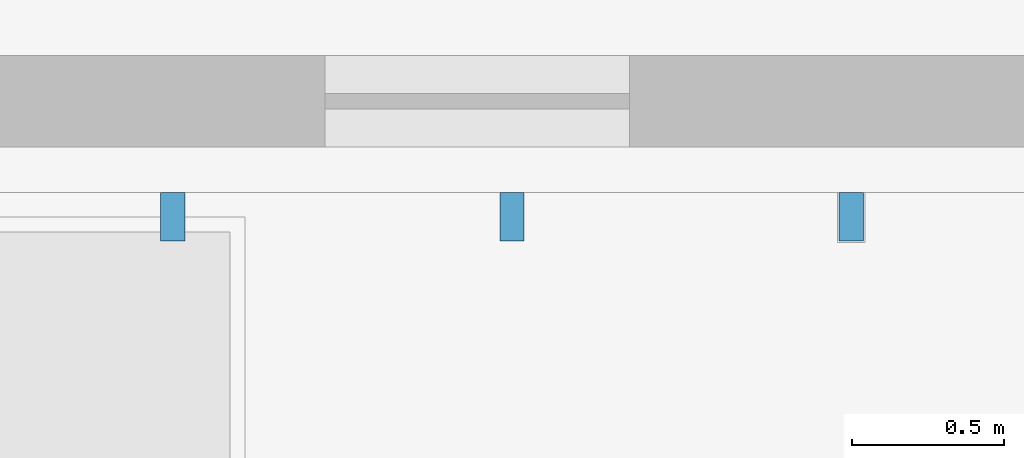
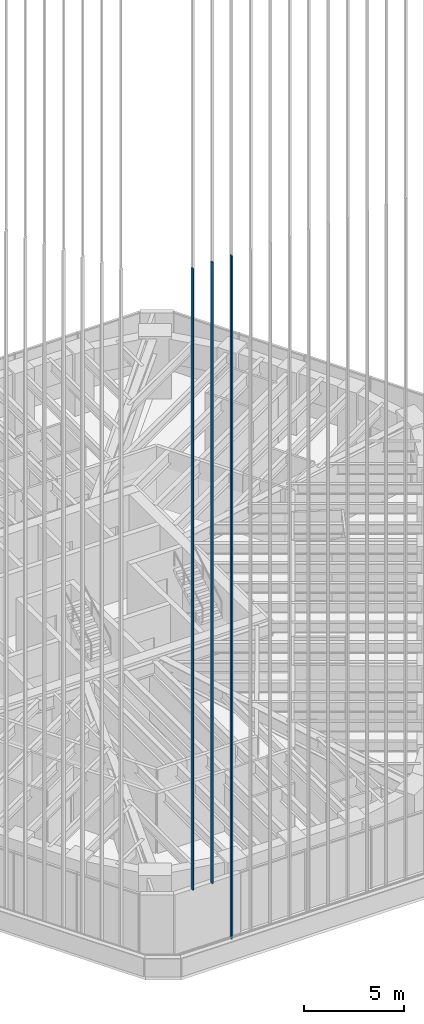
# One storey, part 8 of 127: 3 members, 1 element without a shape of its own.
"""IFC4 building model written with IfcOpenShell, lengths in metres."""

from ifc_helpers import new_model, si_unit, direction, frame, origin, origin_2d, place, context, subcontext, project, spatial, rectangle, extrude, material, material_profile, profile_set, type_object, element, aggregate, save


model = new_model("IFC4")

# Units and contexts
model_context = context("Model", 3, precision=1e-05, world=origin(), true_north=direction((0.0, 1.0)))
body_context = subcontext(model_context, "Body", "Model", "MODEL_VIEW")
ifc_project = project(units=[si_unit("LENGTHUNIT", "METRE"), si_unit("AREAUNIT", "SQUARE_METRE"), si_unit("VOLUMEUNIT", "CUBIC_METRE"), si_unit("PLANEANGLEUNIT", "RADIAN"), si_unit("MASSUNIT", "GRAM", prefix="KILO")], contexts=[model_context])

# Site, building, storey
site_placement = place(None, origin())
site = spatial("IfcSite", under=ifc_project, at=site_placement, CompositionType="ELEMENT")
building_placement = place(site_placement, origin())
building = spatial("IfcBuilding", under=site, at=building_placement, Name="Sandreach Pilgrim Tower", CompositionType="ELEMENT")
storey_placement = place(building_placement, frame((0.0, 0.0, 257.0)))
storey = spatial("IfcBuildingStorey", under=building, at=storey_placement, Name="L64", CompositionType="ELEMENT", Elevation=257.0)

# Curtain wall, members
ifc_material_1 = material(Name="Aluminium framed curtain wall", Category="aluminium")
curtain_wall_type = type_object("IfcCurtainWallType", Name="Suite tower curtain wall", PredefinedType="NOTDEFINED", material=ifc_material_1)
curtain_wall_placement = place(storey_placement, origin())
curtain_wall = element("IfcCurtainWall", 1, at=curtain_wall_placement, inside=storey, type_object=curtain_wall_type, Name="CW-4 L64 SA", PredefinedType="NOTDEFINED")
ifc_material_2 = material(Name="Extruded terracotta on aluminium core", Category="masonry")
ifc_material_profile = material_profile(ifc_material_2, rectangle(XDim=0.080078125, YDim=0.159912109375, at=origin_2d()), Name="TBS 80X160")
ifc_profile_set = profile_set([ifc_material_profile], Name="Extruded terracotta on aluminium core")
member_type = type_object("IfcMemberType", Name="Terracotta baguette south", PredefinedType="USERDEFINED", material=ifc_profile_set)
member_1_placement = place(storey_placement, frame((-4.458740234375, -25.238037109375, 0.0), z_axis=(0.0, 0.0, 1.0), x_axis=(-1.0, 0.0, 0.0)))
member_1 = element("IfcMember", 2, at=member_1_placement, type_object=member_type, Name="Baguette Z4 S11", ObjectType="BAGUETTE", PredefinedType="USERDEFINED", context=body_context, shape_type="SweptSolid", body=[
    extrude(rectangle(XDim=0.080078125, YDim=0.159912109375, at=origin_2d()), origin(), (0.0, 0.0, 1.0), 41.639892578125),
])
member_2_placement = place(storey_placement, frame((-5.573486328125, -25.238037109375, 3.800048828125), z_axis=(0.0, 0.0, 1.0), x_axis=(-1.0, 0.0, 0.0)))
member_2 = element("IfcMember", 3, at=member_2_placement, type_object=member_type, Name="Baguette Z4 S12", ObjectType="BAGUETTE", PredefinedType="USERDEFINED", context=body_context, shape_type="SweptSolid", body=[
    extrude(rectangle(XDim=0.080078125, YDim=0.159912109375, at=origin_2d()), origin(), (0.0, 0.0, 1.0), 37.83984375),
])
member_3_placement = place(storey_placement, frame((-6.68798828125, -25.238037109375, 3.800048828125), z_axis=(0.0, 0.0, 1.0), x_axis=(-1.0, 0.0, 0.0)))
member_3 = element("IfcMember", 4, at=member_3_placement, type_object=member_type, Name="Baguette Z4 S13", ObjectType="BAGUETTE", PredefinedType="USERDEFINED", context=body_context, shape_type="SweptSolid", body=[
    extrude(rectangle(XDim=0.080078125, YDim=0.159912109375, at=origin_2d()), origin(), (0.0, 0.0, 1.0), 37.83984375),
])
aggregate(curtain_wall, [member_1, member_2, member_3])

save(model, "model.ifc")
